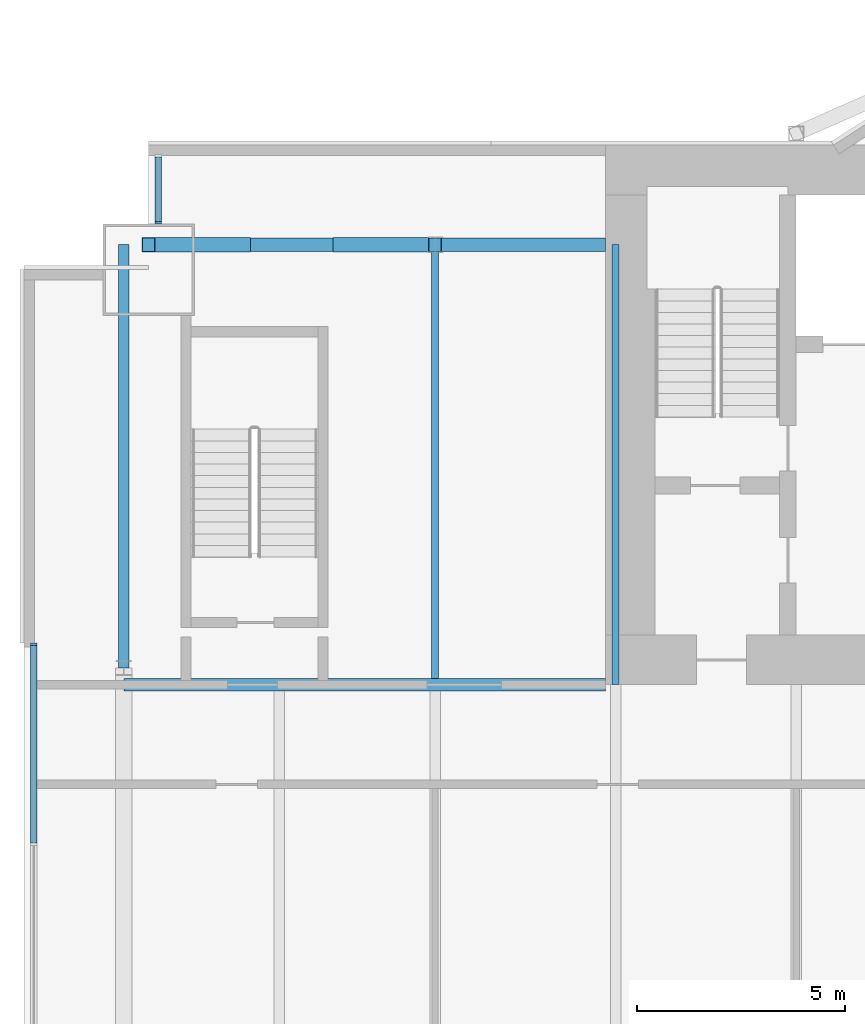
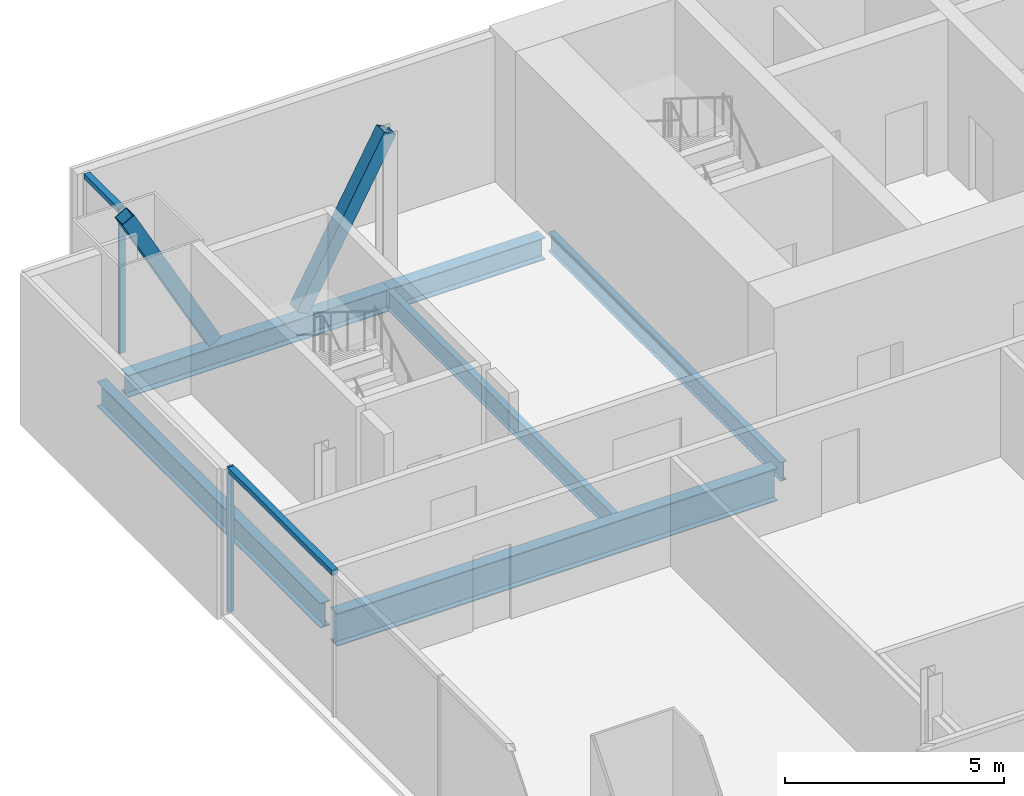
# One storey, part 7 of 20: 6 beams, 6 members, 2 elements without a shape of their own.
"""IFC4 building model written with IfcOpenShell, lengths in metres."""

from ifc_helpers import new_model, si_unit, direction, frame, origin, origin_2d, place, context, subcontext, project, spatial, rectangle, hollow_rectangle, i_section, extrude, material, material_profile, profile_set, type_object, element, aggregate, save


model = new_model("IFC4")

# Units and contexts
model_context = context("Model", 3, precision=1e-05, world=origin(), true_north=direction((0.0, 1.0)))
body_context = subcontext(model_context, "Body", "Model", "MODEL_VIEW")
ifc_project = project(units=[si_unit("LENGTHUNIT", "METRE"), si_unit("AREAUNIT", "SQUARE_METRE"), si_unit("VOLUMEUNIT", "CUBIC_METRE"), si_unit("PLANEANGLEUNIT", "RADIAN"), si_unit("MASSUNIT", "GRAM", prefix="KILO")], contexts=[model_context])

# Site, building, storey
site_placement = place(None, origin())
site = spatial("IfcSite", under=ifc_project, at=site_placement, CompositionType="ELEMENT")
building_placement = place(site_placement, origin())
building = spatial("IfcBuilding", under=site, at=building_placement, Name="Bicima Exchange Tower", CompositionType="ELEMENT")
storey_placement = place(building_placement, frame((0.0, 0.0, 249.800048828125)))
storey = spatial("IfcBuildingStorey", under=building, at=storey_placement, Name="L56", CompositionType="ELEMENT", Elevation=249.800048828125)

# Beam
ifc_material_1 = material(Name="Steel ASTM A992 Gr 50", Category="steel")
ifc_material_profile_1 = material_profile(ifc_material_1, i_section(OverallWidth=0.3046875, OverallDepth=0.911865234375, WebThickness=0.015869140625, FlangeThickness=0.02392578125, at=origin_2d()))
ifc_profile_set_1 = profile_set([ifc_material_profile_1], Name="Steel ASTM A992 Gr 50")
beam_type_1 = type_object("IfcBeamType", Name="Core-line girder W36x150", PredefinedType="BEAM", material=ifc_profile_set_1)
beam_1_placement = place(storey_placement, frame((-22.0, -13.0, -0.60595703125), z_axis=(-1.0, 0.0, 0.0), x_axis=(0.0, -1.0, 0.0)))
element("IfcBeam", 1, at=beam_1_placement, inside=storey, type_object=beam_type_1, Name="Core-line girder", PredefinedType="BEAM", context=body_context, shape_type="SweptSolid", body=[
    extrude(i_section(OverallWidth=0.3046875, OverallDepth=0.911865234375, WebThickness=0.015869140625, FlangeThickness=0.02392578125, at=origin_2d()), origin(), (0.0, 0.0, 1.0), 11.60009765625),
])

# Curtain wall, members
ifc_material_2 = material(Name="Anodised bronze aluminium", Category="aluminium")
curtain_wall_type_1 = type_object("IfcCurtainWallType", Name="End face glass wall", PredefinedType="NOTDEFINED", material=ifc_material_2)
curtain_wall_1_placement = place(storey_placement, origin())
curtain_wall_1 = element("IfcCurtainWall", 2, at=curtain_wall_1_placement, inside=storey, type_object=curtain_wall_type_1, Name="End face glass wall L56 run 2", PredefinedType="NOTDEFINED")
ifc_material_profile_2 = material_profile(ifc_material_2, rectangle(XDim=0.159912109375, YDim=0.06005859375, at=origin_2d()))
ifc_profile_set_2 = profile_set([ifc_material_profile_2], Name="Anodised bronze aluminium")
member_type_1 = type_object("IfcMemberType", Name="End face glass wall mullion 60 x 160", PredefinedType="MULLION", material=ifc_profile_set_2)
member_1_placement = place(storey_placement, frame((-35.77001953125, -12.030029296875, 0.0), z_axis=(0.0, 0.0, 1.0), x_axis=(1.0, 0.0, 0.0)))
member_1 = element("IfcMember", 3, at=member_1_placement, type_object=member_type_1, Name="End face glass wall mullion 1", PredefinedType="MULLION", context=body_context, shape_type="SweptSolid", body=[
    extrude(rectangle(XDim=0.159912109375, YDim=0.06005859375, at=origin_2d()), origin(), (0.0, 0.0, 1.0), 4.050048828125),
])
ifc_material_profile_3 = material_profile(ifc_material_2, rectangle(XDim=0.159912109375, YDim=0.139892578125, at=origin_2d()))
ifc_profile_set_3 = profile_set([ifc_material_profile_3], Name="Anodised bronze aluminium")
member_type_2 = type_object("IfcMemberType", Name="End face glass wall transom 140 x 160", PredefinedType="USERDEFINED", material=ifc_profile_set_3)
member_2_placement = place(storey_placement, frame((-35.77001953125, -12.06005859375, 3.97998046875), z_axis=(0.0, -1.0, 0.0), x_axis=(1.0, 0.0, 0.0)))
member_2 = element("IfcMember", 4, at=member_2_placement, type_object=member_type_2, Name="End face glass wall transom 1.1", ObjectType="TRANSOM", PredefinedType="USERDEFINED", context=body_context, shape_type="SweptSolid", body=[
    extrude(rectangle(XDim=0.159912109375, YDim=0.139892578125, at=origin_2d()), origin(), (0.0, 0.0, 1.0), 4.75),
])
aggregate(curtain_wall_1, [member_1, member_2])

# Beams
ifc_material_profile_4 = material_profile(ifc_material_1, i_section(OverallWidth=0.256591796875, OverallDepth=0.693359375, WebThickness=0.014404296875, FlangeThickness=0.023681640625, at=origin_2d()))
ifc_profile_set_4 = profile_set([ifc_material_profile_4], Name="Steel ASTM A992 Gr 50")
beam_type_2 = type_object("IfcBeamType", Name="End girder W27x114", PredefinedType="BEAM", material=ifc_profile_set_4)
beam_2_placement = place(storey_placement, frame((-33.60009765625, -2.39990234375, -0.496826171875), z_axis=(0.0, -1.0, 0.0), x_axis=(1.0, 0.0, 0.0)))
element("IfcBeam", 5, at=beam_2_placement, inside=storey, type_object=beam_type_2, Name="End girder", PredefinedType="BEAM", context=body_context, shape_type="SweptSolid", body=[
    extrude(i_section(OverallWidth=0.256591796875, OverallDepth=0.693359375, WebThickness=0.014404296875, FlangeThickness=0.023681640625, at=origin_2d()), origin(), (0.0, 0.0, 1.0), 10.2001953125),
])
ifc_material_profile_5 = material_profile(ifc_material_1, i_section(OverallWidth=0.165771484375, OverallDepth=0.5283203125, WebThickness=0.009765625, FlangeThickness=0.013671875, at=origin_2d()))
ifc_profile_set_5 = profile_set([ifc_material_profile_5], Name="Steel ASTM A992 Gr 50")
beam_type_3 = type_object("IfcBeamType", Name="Floor beam W21x50", PredefinedType="JOIST", material=ifc_profile_set_5)
beam_3_placement = place(storey_placement, frame((-26.10009765625, -2.5625, -0.414306640625), z_axis=(0.0, -1.0, 0.0), x_axis=(1.0, 0.0, 0.0)))
element("IfcBeam", 6, at=beam_3_placement, inside=storey, type_object=beam_type_3, Name="Floor beam", PredefinedType="JOIST", context=body_context, shape_type="SweptSolid", body=[
    extrude(i_section(OverallWidth=0.165771484375, OverallDepth=0.5283203125, WebThickness=0.009765625, FlangeThickness=0.013671875, at=origin_2d()), origin(), (0.0, 0.0, 1.0), 10.28515625),
])
beam_4_placement = place(storey_placement, frame((-21.75, -2.39990234375, -0.414306640625), z_axis=(0.0, -1.0, 0.0), x_axis=(1.0, 0.0, 0.0)))
element("IfcBeam", 7, at=beam_4_placement, inside=storey, type_object=beam_type_3, Name="Floor beam", PredefinedType="JOIST", context=body_context, shape_type="SweptSolid", body=[
    extrude(i_section(OverallWidth=0.165771484375, OverallDepth=0.5283203125, WebThickness=0.009765625, FlangeThickness=0.013671875, at=origin_2d()), origin(), (0.0, 0.0, 1.0), 10.60009765625),
])

# Curtain wall, members
curtain_wall_type_2 = type_object("IfcCurtainWallType", Name="Front glass wall", PredefinedType="NOTDEFINED", material=ifc_material_2)
curtain_wall_2_placement = place(storey_placement, origin())
curtain_wall_2 = element("IfcCurtainWall", 8, at=curtain_wall_2_placement, inside=storey, type_object=curtain_wall_type_2, Name="Front glass wall L56 run 1", PredefinedType="NOTDEFINED")
member_type_3 = type_object("IfcMemberType", Name="Front glass wall mullion 60 x 160", PredefinedType="MULLION", material=ifc_profile_set_2)
member_3_placement = place(storey_placement, frame((-32.77001953125, -1.8701171875, 0.0), z_axis=(0.0, 0.0, 1.0), x_axis=(1.0, 0.0, 0.0)))
member_3 = element("IfcMember", 9, at=member_3_placement, type_object=member_type_3, Name="Front glass wall mullion 2", PredefinedType="MULLION", context=body_context, shape_type="SweptSolid", body=[
    extrude(rectangle(XDim=0.159912109375, YDim=0.06005859375, at=origin_2d()), origin(), (0.0, 0.0, 1.0), 4.050048828125),
])
member_type_4 = type_object("IfcMemberType", Name="Front glass wall transom 140 x 160", PredefinedType="USERDEFINED", material=ifc_profile_set_3)
member_4_placement = place(storey_placement, frame((-32.77001953125, -0.2900390625, 3.97998046875), z_axis=(0.0, -1.0, 0.0), x_axis=(1.0, 0.0, 0.0)))
member_4 = element("IfcMember", 10, at=member_4_placement, type_object=member_type_4, Name="Front glass wall transom 1.1", ObjectType="TRANSOM", PredefinedType="USERDEFINED", context=body_context, shape_type="SweptSolid", body=[
    extrude(rectangle(XDim=0.159912109375, YDim=0.139892578125, at=origin_2d()), origin(), (0.0, 0.0, 1.0), 1.550048828125),
])
aggregate(curtain_wall_2, [member_3, member_4])

# Members
ifc_material_3 = material(Name="Steel ASTM A572 Gr 50", Category="steel")
ifc_material_profile_6 = material_profile(ifc_material_3, hollow_rectangle(XDim=0.355712890625, YDim=0.355712890625, WallThickness=0.0146484375, at=origin_2d()))
ifc_profile_set_6 = profile_set([ifc_material_profile_6], Name="Steel ASTM A572 Gr 50")
member_type_5 = type_object("IfcMemberType", Name="Mega brace HSS14x14x5/8", PredefinedType="BRACE", material=ifc_profile_set_6)
member_5_placement = place(storey_placement, frame((-28.39990234375, -2.39990234375, 0.0), z_axis=(0.480287539831, 0.0, 0.877111098484), x_axis=(0.0, 1.0, 0.0)))
element("IfcMember", 11, at=member_5_placement, inside=storey, type_object=member_type_5, Name="Mega brace rear", PredefinedType="BRACE", context=body_context, shape_type="SweptSolid", body=[
    extrude(hollow_rectangle(XDim=0.355712890625, YDim=0.355712890625, WallThickness=0.0146484375, at=origin_2d()), origin(), (0.0, 0.0, 1.0), 4.788330078125),
])
member_6_placement = place(storey_placement, frame((-30.699951171875, -2.39990234375, 0.0), z_axis=(-0.48032676309, 0.0, 0.877089619514), x_axis=(0.0, -1.0, 0.0)))
element("IfcMember", 12, at=member_6_placement, inside=storey, type_object=member_type_5, Name="Mega brace rear", PredefinedType="BRACE", context=body_context, shape_type="SweptSolid", body=[
    extrude(hollow_rectangle(XDim=0.355712890625, YDim=0.355712890625, WallThickness=0.0146484375, at=origin_2d()), origin(), (0.0, 0.0, 1.0), 4.78857421875),
])

# Beams
ifc_material_profile_7 = material_profile(ifc_material_1, i_section(OverallWidth=0.3251953125, OverallDepth=0.612060546875, WebThickness=0.0126953125, FlangeThickness=0.01904296875, at=origin_2d()))
ifc_profile_set_7 = profile_set([ifc_material_profile_7], Name="Steel ASTM A992 Gr 50")
beam_type_4 = type_object("IfcBeamType", Name="Rear girder W24x104", PredefinedType="BEAM", material=ifc_profile_set_7)
beam_5_placement = place(storey_placement, frame((-22.0, -2.39990234375, -0.4560546875), z_axis=(-1.0, 0.0, 0.0), x_axis=(0.0, -1.0, 0.0)))
element("IfcBeam", 13, at=beam_5_placement, inside=storey, type_object=beam_type_4, Name="Rear girder", PredefinedType="BEAM", context=body_context, shape_type="SweptSolid", body=[
    extrude(i_section(OverallWidth=0.3251953125, OverallDepth=0.612060546875, WebThickness=0.0126953125, FlangeThickness=0.01904296875, at=origin_2d()), origin(), (0.0, 0.0, 1.0), 4.10009765625),
])
beam_6_placement = place(storey_placement, frame((-26.10009765625, -2.39990234375, -0.4560546875), z_axis=(-1.0, 0.0, 0.0), x_axis=(0.0, -1.0, 0.0)))
element("IfcBeam", 14, at=beam_6_placement, inside=storey, type_object=beam_type_4, Name="Rear girder", PredefinedType="BEAM", context=body_context, shape_type="SweptSolid", body=[
    extrude(i_section(OverallWidth=0.3251953125, OverallDepth=0.612060546875, WebThickness=0.0126953125, FlangeThickness=0.01904296875, at=origin_2d()), origin(), (0.0, 0.0, 1.0), 6.89990234375),
])

save(model, "model.ifc")
